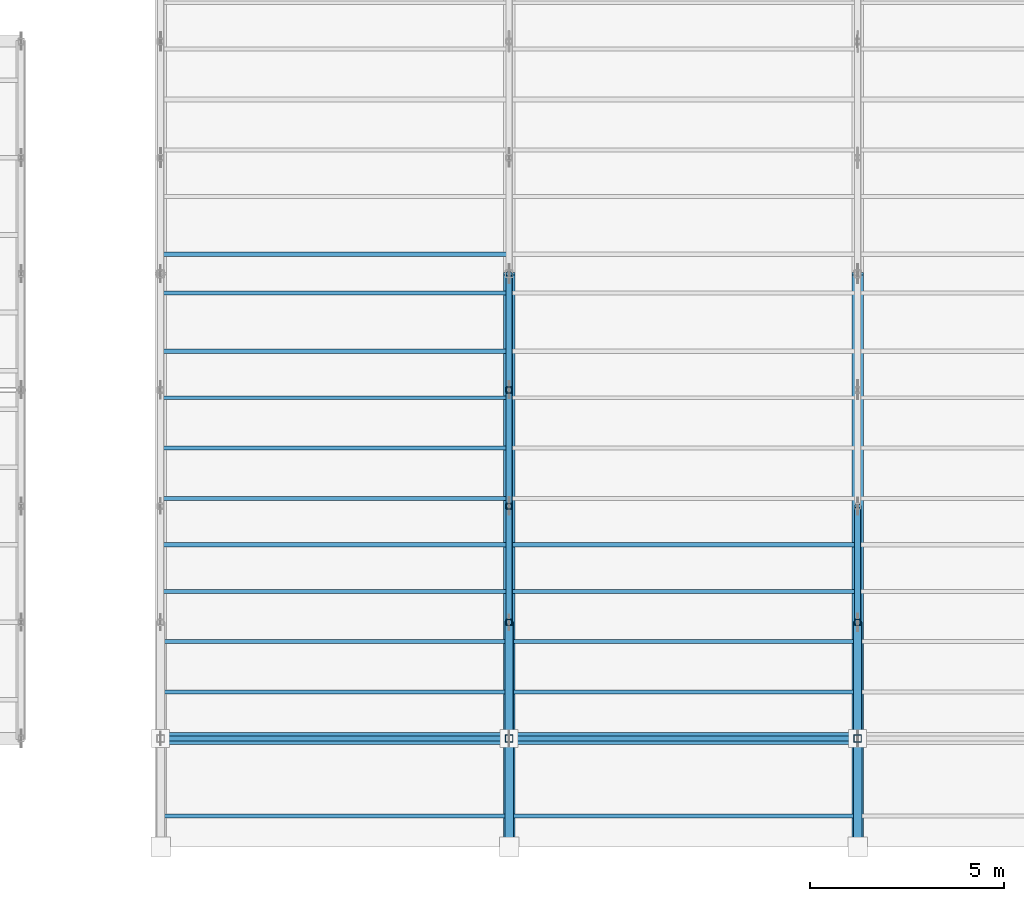
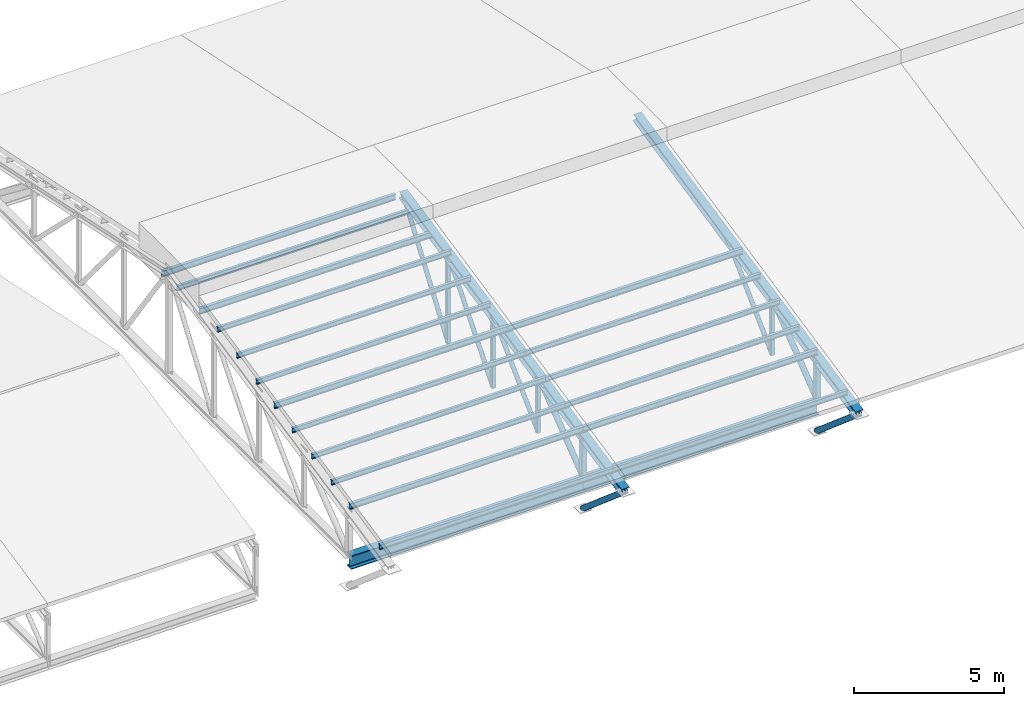
# One storey, part 6 of 43: 34 members, 2 beams.
"""IFC4 building model written with IfcOpenShell, lengths in metres."""

from ifc_helpers import new_model, si_unit, direction, frame, origin, origin_2d, place, context, subcontext, project, spatial, hollow_rectangle, hollow_circle, i_section, extrude, material, material_profile, profile_set, type_object, element, save


model = new_model("IFC4")

# Units and contexts
model_context = context("Model", 3, precision=1e-05, world=origin(), true_north=direction((0.0, 1.0)))
body_context = subcontext(model_context, "Body", "Model", "MODEL_VIEW")
ifc_project = project(units=[si_unit("LENGTHUNIT", "METRE"), si_unit("AREAUNIT", "SQUARE_METRE"), si_unit("VOLUMEUNIT", "CUBIC_METRE"), si_unit("PLANEANGLEUNIT", "RADIAN"), si_unit("MASSUNIT", "GRAM", prefix="KILO")], contexts=[model_context])

# Site, building, storey
site_placement = place(None, origin())
site = spatial("IfcSite", under=ifc_project, at=site_placement, CompositionType="ELEMENT")
building_placement = place(site_placement, origin())
building = spatial("IfcBuilding", under=site, at=building_placement, Name="Serraforn Aerial Cableway Station", CompositionType="ELEMENT")
storey_placement = place(building_placement, frame((0.0, 0.0, 18.300048828125)))
storey = spatial("IfcBuildingStorey", under=building, at=storey_placement, Name="RF", CompositionType="ELEMENT", Elevation=18.300048828125)

# Beams
ifc_material_1 = material(Name="Steel S355J2", Category="steel")
ifc_material_profile_1 = material_profile(ifc_material_1, i_section(OverallWidth=0.300048828125, OverallDepth=0.550048828125, WebThickness=0.014892578125, FlangeThickness=0.029052734375, FilletRadius=0.027099609375, at=origin_2d()), Name="HEB 550")
ifc_profile_set_1 = profile_set([ifc_material_profile_1], Name="Steel S355J2")
beam_type = type_object("IfcBeamType", Name="BM-ST-HEB550", PredefinedType="USERDEFINED", material=ifc_profile_set_1)
for number, where, z_axis, x_axis, name in (
    (1, (27.60009765625, 18.0, -1.625), (1.0, 0.0, 0.0), (0.0, 1.0, 0.0), "Boarding Hall Eave Girder S-1"),
    (2, (36.60009765625, 18.0, -1.625), (1.0, 0.0, 0.0), (0.0, 1.0, 0.0), "Boarding Hall Eave Girder S-2"),
):
    element("IfcBeam", number, at=place(storey_placement, frame(where, z_axis=z_axis, x_axis=x_axis)), inside=storey, type_object=beam_type, Name=name, ObjectType="GIRDER", PredefinedType="USERDEFINED", context=body_context, shape_type="SweptSolid", body=[
        extrude(i_section(OverallWidth=0.300048828125, OverallDepth=0.550048828125, WebThickness=0.014892578125, FlangeThickness=0.029052734375, FilletRadius=0.027099609375, at=origin_2d()), origin(), (0.0, 0.0, 1.0), 9.0),
    ])

# Members
ifc_material_profile_2 = material_profile(ifc_material_1, hollow_circle(Radius=0.084228515625, WallThickness=0.008056640625, at=origin_2d()), Name="CHS 168.3x8.0")
ifc_profile_set_2 = profile_set([ifc_material_profile_2], Name="Steel S355J2")
member_type_1 = type_object("IfcMemberType", Name="MEM-DG-CHS168", PredefinedType="BRACE", material=ifc_profile_set_2)
member_1_placement = place(storey_placement, frame((36.60009765625, 21.0, -1.35009765625), z_axis=(0.0, 0.71294245933, 0.701222539344), x_axis=(-1.0, 0.0, 0.0)))
element("IfcMember", 3, at=member_1_placement, inside=storey, type_object=member_type_1, Name="Roof Truss TR-02 Diagonal 2", PredefinedType="BRACE", context=body_context, shape_type="SweptSolid", body=[
    extrude(hollow_circle(Radius=0.084228515625, WallThickness=0.008056640625, at=origin_2d()), origin(), (0.0, 0.0, 1.0), 4.2080078125),
])
member_2_placement = place(storey_placement, frame((36.60009765625, 24.0, -1.35009765625), z_axis=(0.0, 0.641405529785, 0.767202024477), x_axis=(-1.0, 0.0, 0.0)))
element("IfcMember", 4, at=member_2_placement, inside=storey, type_object=member_type_1, Name="Roof Truss TR-02 Diagonal 3", PredefinedType="BRACE", context=body_context, shape_type="SweptSolid", body=[
    extrude(hollow_circle(Radius=0.084228515625, WallThickness=0.008056640625, at=origin_2d()), origin(), (0.0, 0.0, 1.0), 4.67724609375),
])
member_3_placement = place(storey_placement, frame((36.60009765625, 27.0, -1.35009765625), z_axis=(0.0, 0.578856146563, 0.815429679118), x_axis=(-1.0, 0.0, 0.0)))
element("IfcMember", 5, at=member_3_placement, inside=storey, type_object=member_type_1, Name="Roof Truss TR-02 Diagonal 4", PredefinedType="BRACE", context=body_context, shape_type="SweptSolid", body=[
    extrude(hollow_circle(Radius=0.084228515625, WallThickness=0.008056640625, at=origin_2d()), origin(), (0.0, 0.0, 1.0), 5.1826171875),
])
member_4_placement = place(storey_placement, frame((45.60009765625, 21.0, -1.35009765625), z_axis=(0.0, 0.71294245933, 0.701222539344), x_axis=(-1.0, 0.0, 0.0)))
element("IfcMember", 6, at=member_4_placement, inside=storey, type_object=member_type_1, Name="Roof Truss TR-03 Diagonal 2", PredefinedType="BRACE", context=body_context, shape_type="SweptSolid", body=[
    extrude(hollow_circle(Radius=0.084228515625, WallThickness=0.008056640625, at=origin_2d()), origin(), (0.0, 0.0, 1.0), 4.2080078125),
])
ifc_material_profile_3 = material_profile(ifc_material_1, hollow_circle(Radius=0.109619140625, WallThickness=0.010009765625, at=origin_2d()), Name="CHS 219.1x10.0")
ifc_profile_set_3 = profile_set([ifc_material_profile_3], Name="Steel S355J2")
member_type_2 = type_object("IfcMemberType", Name="MEM-DG-CHS219", PredefinedType="BRACE", material=ifc_profile_set_3)
member_5_placement = place(storey_placement, frame((36.60009765625, 18.0, -2.650146484375), z_axis=(0.0, -0.760584469832, 0.649238988548), x_axis=(1.0, 0.0, 0.0)))
element("IfcMember", 7, at=member_5_placement, inside=storey, type_object=member_type_2, Name="Roof Truss TR-02 Eave Knee Strut ES", PredefinedType="BRACE", context=body_context, shape_type="SweptSolid", body=[
    extrude(hollow_circle(Radius=0.109619140625, WallThickness=0.010009765625, at=origin_2d()), origin(), (0.0, 0.0, 1.0), 3.681396484375),
])
member_6_placement = place(storey_placement, frame((36.60009765625, 18.0, -1.35009765625), z_axis=(0.0, 0.791947867333, 0.610588712168), x_axis=(-1.0, 0.0, 0.0)))
element("IfcMember", 8, at=member_6_placement, inside=storey, type_object=member_type_2, Name="Roof Truss TR-02 Diagonal 1", PredefinedType="BRACE", context=body_context, shape_type="SweptSolid", body=[
    extrude(hollow_circle(Radius=0.109619140625, WallThickness=0.010009765625, at=origin_2d()), origin(), (0.0, 0.0, 1.0), 3.7880859375),
])
member_7_placement = place(storey_placement, frame((45.60009765625, 18.0, -2.650146484375), z_axis=(0.0, -0.760584469832, 0.649238988548), x_axis=(1.0, 0.0, 0.0)))
element("IfcMember", 9, at=member_7_placement, inside=storey, type_object=member_type_2, Name="Roof Truss TR-03 Eave Knee Strut ES", PredefinedType="BRACE", context=body_context, shape_type="SweptSolid", body=[
    extrude(hollow_circle(Radius=0.109619140625, WallThickness=0.010009765625, at=origin_2d()), origin(), (0.0, 0.0, 1.0), 3.681396484375),
])
member_8_placement = place(storey_placement, frame((45.60009765625, 18.0, -1.35009765625), z_axis=(0.0, 0.791947867333, 0.610588712168), x_axis=(-1.0, 0.0, 0.0)))
element("IfcMember", 10, at=member_8_placement, inside=storey, type_object=member_type_2, Name="Roof Truss TR-03 Diagonal 1", PredefinedType="BRACE", context=body_context, shape_type="SweptSolid", body=[
    extrude(hollow_circle(Radius=0.109619140625, WallThickness=0.010009765625, at=origin_2d()), origin(), (0.0, 0.0, 1.0), 3.7880859375),
])
ifc_material_2 = material(Name="Steel S355JR", Category="steel")
ifc_material_profile_4 = material_profile(ifc_material_2, i_section(OverallWidth=0.10009765625, OverallDepth=0.199951171875, WebThickness=0.005615234375, FlangeThickness=0.008544921875, FilletRadius=0.011962890625, at=origin_2d()), Name="IPE 200")
ifc_profile_set_4 = profile_set([ifc_material_profile_4], Name="Steel S355JR")
member_type_3 = type_object("IfcMemberType", Name="MEM-PR-IPE200", PredefinedType="PURLIN", material=ifc_profile_set_4)
for number, where, z_axis, x_axis, name in (
    (11, (27.60009765625, 16.0, 0.14404296875), (1.0, 0.0, 0.0), (0.0, 1.0, 0.0), "Boarding Hall Purlin 1-1"),
    (12, (27.60009765625, 20.5, 1.1005859375), (1.0, 0.0, 0.0), (0.0, 1.0, 0.0), "Boarding Hall Purlin 1-3"),
    (13, (27.60009765625, 25.5, 2.163330078125), (1.0, 0.0, 0.0), (0.0, 1.0, 0.0), "Boarding Hall Purlin 1-5"),
    (14, (27.60009765625, 29.5, 2.48583984375), (1.0, 0.0, 0.0), (0.0, 1.0, 0.0), "Boarding Hall Purlin 1-7"),
    (15, (36.60009765625, 16.0, 0.14404296875), (1.0, 0.0, 0.0), (0.0, 1.0, 0.0), "Boarding Hall Purlin 2-1"),
    (16, (36.60009765625, 20.5, 1.1005859375), (1.0, 0.0, 0.0), (0.0, 1.0, 0.0), "Boarding Hall Purlin 2-3"),
    (17, (27.60009765625, 19.199951171875, 0.824462890625), (1.0, 0.0, 0.0), (0.0, 1.0, 0.0), "Boarding Hall Secondary Purlin 1-1"),
    (18, (27.60009765625, 21.800048828125, 1.376953125), (1.0, 0.0, 0.0), (0.0, 1.0, 0.0), "Boarding Hall Secondary Purlin 1-2"),
    (19, (27.60009765625, 24.199951171875, 1.88720703125), (1.0, 0.0, 0.0), (0.0, 1.0, 0.0), "Boarding Hall Secondary Purlin 1-3"),
    (20, (27.60009765625, 26.800048828125, 2.439697265625), (1.0, 0.0, 0.0), (0.0, 1.0, 0.0), "Boarding Hall Secondary Purlin 1-4"),
    (21, (36.60009765625, 19.199951171875, 0.824462890625), (1.0, 0.0, 0.0), (0.0, 1.0, 0.0), "Boarding Hall Secondary Purlin 2-1"),
    (22, (36.60009765625, 21.800048828125, 1.376953125), (1.0, 0.0, 0.0), (0.0, 1.0, 0.0), "Boarding Hall Secondary Purlin 2-2"),
):
    element("IfcMember", number, at=place(storey_placement, frame(where, z_axis=z_axis, x_axis=x_axis)), inside=storey, type_object=member_type_3, Name=name, PredefinedType="PURLIN", context=body_context, shape_type="SweptSolid", body=[
        extrude(i_section(OverallWidth=0.10009765625, OverallDepth=0.199951171875, WebThickness=0.005615234375, FlangeThickness=0.008544921875, FilletRadius=0.011962890625, at=origin_2d()), origin(), (0.0, 0.0, 1.0), 9.0),
    ])
ifc_material_profile_5 = material_profile(ifc_material_2, i_section(OverallWidth=0.1201171875, OverallDepth=0.239990234375, WebThickness=0.006103515625, FlangeThickness=0.009765625, FilletRadius=0.014892578125, at=origin_2d()), Name="IPE 240")
ifc_profile_set_5 = profile_set([ifc_material_profile_5], Name="Steel S355JR")
member_type_4 = type_object("IfcMemberType", Name="MEM-PR-IPE240", PredefinedType="PURLIN", material=ifc_profile_set_5)
for number, where, z_axis, x_axis, name in (
    (23, (27.60009765625, 18.0, 0.58935546875), (1.0, 0.0, 0.0), (0.0, 1.0, 0.0), "Boarding Hall Purlin 1-2"),
    (24, (27.60009765625, 23.0, 1.652099609375), (1.0, 0.0, 0.0), (0.0, 1.0, 0.0), "Boarding Hall Purlin 1-4"),
    (25, (27.60009765625, 28.0, 2.4658203125), (1.0, 0.0, 0.0), (0.0, 1.0, 0.0), "Boarding Hall Purlin 1-6"),
    (26, (27.60009765625, 30.5, 2.4658203125), (1.0, 0.0, 0.0), (0.0, 1.0, 0.0), "Boarding Hall Purlin 1-8"),
    (27, (36.60009765625, 18.0, 0.58935546875), (1.0, 0.0, 0.0), (0.0, 1.0, 0.0), "Boarding Hall Purlin 2-2"),
    (28, (36.60009765625, 23.0, 1.652099609375), (1.0, 0.0, 0.0), (0.0, 1.0, 0.0), "Boarding Hall Purlin 2-4"),
):
    element("IfcMember", number, at=place(storey_placement, frame(where, z_axis=z_axis, x_axis=x_axis)), inside=storey, type_object=member_type_4, Name=name, PredefinedType="PURLIN", context=body_context, shape_type="SweptSolid", body=[
        extrude(i_section(OverallWidth=0.1201171875, OverallDepth=0.239990234375, WebThickness=0.006103515625, FlangeThickness=0.009765625, FilletRadius=0.014892578125, at=origin_2d()), origin(), (0.0, 0.0, 1.0), 9.0),
    ])
ifc_material_profile_6 = material_profile(ifc_material_1, i_section(OverallWidth=0.300048828125, OverallDepth=0.300048828125, WebThickness=0.010986328125, FlangeThickness=0.01904296875, FilletRadius=0.027099609375, at=origin_2d()), Name="HEB 300")
ifc_profile_set_6 = profile_set([ifc_material_profile_6], Name="Steel S355J2")
member_type_5 = type_object("IfcMemberType", Name="MEM-TC-HEB300", PredefinedType="CHORD", material=ifc_profile_set_6)
for number, where, z_axis, x_axis, name in (
    (29, (36.60009765625, 15.199951171875, -0.27001953125), (0.0, 0.978145603362, 0.207921087493), (-1.0, 0.0, 0.0), "Roof Truss TR-02 Top Chord 1"),
    (30, (45.60009765625, 15.199951171875, -0.27001953125), (0.0, 0.978145603362, 0.207921087493), (-1.0, 0.0, 0.0), "Roof Truss TR-03 Top Chord 1"),
):
    element("IfcMember", number, at=place(storey_placement, frame(where, z_axis=z_axis, x_axis=x_axis)), inside=storey, type_object=member_type_5, Name=name, PredefinedType="CHORD", context=body_context, shape_type="SweptSolid", body=[
        extrude(i_section(OverallWidth=0.300048828125, OverallDepth=0.300048828125, WebThickness=0.010986328125, FlangeThickness=0.01904296875, FilletRadius=0.027099609375, at=origin_2d()), origin(), (0.0, 0.0, 1.0), 15.130615234375),
    ])
ifc_material_profile_7 = material_profile(ifc_material_1, hollow_rectangle(XDim=0.159912109375, YDim=0.159912109375, WallThickness=0.008056640625, InnerFilletRadius=0.008056640625, OuterFilletRadius=0.01611328125, at=origin_2d()), Name="SHS 160x160x8.0")
ifc_profile_set_7 = profile_set([ifc_material_profile_7], Name="Steel S355J2")
member_type_6 = type_object("IfcMemberType", Name="MEM-VP-SHS160", PredefinedType="STRUT", material=ifc_profile_set_7)
member_9_placement = place(storey_placement, frame((36.60009765625, 21.0, -1.360107421875), z_axis=(0.0, 0.0, 1.0), x_axis=(1.0, 0.0, 0.0)))
element("IfcMember", 31, at=member_9_placement, inside=storey, type_object=member_type_6, Name="Roof Truss TR-02 Vertical Post 2", PredefinedType="STRUT", context=body_context, shape_type="SweptSolid", body=[
    extrude(hollow_rectangle(XDim=0.159912109375, YDim=0.159912109375, WallThickness=0.008056640625, InnerFilletRadius=0.008056640625, OuterFilletRadius=0.01611328125, at=origin_2d()), origin(), (0.0, 0.0, 1.0), 2.3330078125),
])
member_10_placement = place(storey_placement, frame((36.60009765625, 24.0, -1.360107421875), z_axis=(0.0, 0.0, 1.0), x_axis=(1.0, 0.0, 0.0)))
element("IfcMember", 32, at=member_10_placement, inside=storey, type_object=member_type_6, Name="Roof Truss TR-02 Vertical Post 3", PredefinedType="STRUT", context=body_context, shape_type="SweptSolid", body=[
    extrude(hollow_rectangle(XDim=0.159912109375, YDim=0.159912109375, WallThickness=0.008056640625, InnerFilletRadius=0.008056640625, OuterFilletRadius=0.01611328125, at=origin_2d()), origin(), (0.0, 0.0, 1.0), 2.970703125),
])
member_11_placement = place(storey_placement, frame((36.60009765625, 27.0, -1.360107421875), z_axis=(0.0, 0.0, 1.0), x_axis=(1.0, 0.0, 0.0)))
element("IfcMember", 33, at=member_11_placement, inside=storey, type_object=member_type_6, Name="Roof Truss TR-02 Vertical Post 4", PredefinedType="STRUT", context=body_context, shape_type="SweptSolid", body=[
    extrude(hollow_rectangle(XDim=0.159912109375, YDim=0.159912109375, WallThickness=0.008056640625, InnerFilletRadius=0.008056640625, OuterFilletRadius=0.01611328125, at=origin_2d()), origin(), (0.0, 0.0, 1.0), 3.6083984375),
])
member_12_placement = place(storey_placement, frame((45.60009765625, 21.0, -1.360107421875), z_axis=(0.0, 0.0, 1.0), x_axis=(1.0, 0.0, 0.0)))
element("IfcMember", 34, at=member_12_placement, inside=storey, type_object=member_type_6, Name="Roof Truss TR-03 Vertical Post 2", PredefinedType="STRUT", context=body_context, shape_type="SweptSolid", body=[
    extrude(hollow_rectangle(XDim=0.159912109375, YDim=0.159912109375, WallThickness=0.008056640625, InnerFilletRadius=0.008056640625, OuterFilletRadius=0.01611328125, at=origin_2d()), origin(), (0.0, 0.0, 1.0), 2.3330078125),
])
ifc_material_profile_8 = material_profile(ifc_material_1, hollow_rectangle(XDim=0.199951171875, YDim=0.199951171875, WallThickness=0.010009765625, InnerFilletRadius=0.010009765625, OuterFilletRadius=0.02001953125, at=origin_2d()), Name="SHS 200x200x10.0")
ifc_profile_set_8 = profile_set([ifc_material_profile_8], Name="Steel S355J2")
member_type_7 = type_object("IfcMemberType", Name="MEM-VP-SHS200", PredefinedType="STRUT", material=ifc_profile_set_8)
for number, where, z_axis, x_axis, name in (
    (35, (36.60009765625, 18.0, -1.360107421875), (0.0, 0.0, 1.0), (1.0, 0.0, 0.0), "Roof Truss TR-02 Vertical Post 1"),
    (36, (45.60009765625, 18.0, -1.360107421875), (0.0, 0.0, 1.0), (1.0, 0.0, 0.0), "Roof Truss TR-03 Vertical Post 1"),
):
    element("IfcMember", number, at=place(storey_placement, frame(where, z_axis=z_axis, x_axis=x_axis)), inside=storey, type_object=member_type_7, Name=name, PredefinedType="STRUT", context=body_context, shape_type="SweptSolid", body=[
        extrude(hollow_rectangle(XDim=0.199951171875, YDim=0.199951171875, WallThickness=0.010009765625, InnerFilletRadius=0.010009765625, OuterFilletRadius=0.02001953125, at=origin_2d()), origin(), (0.0, 0.0, 1.0), 1.6953125),
    ])

save(model, "model.ifc")
